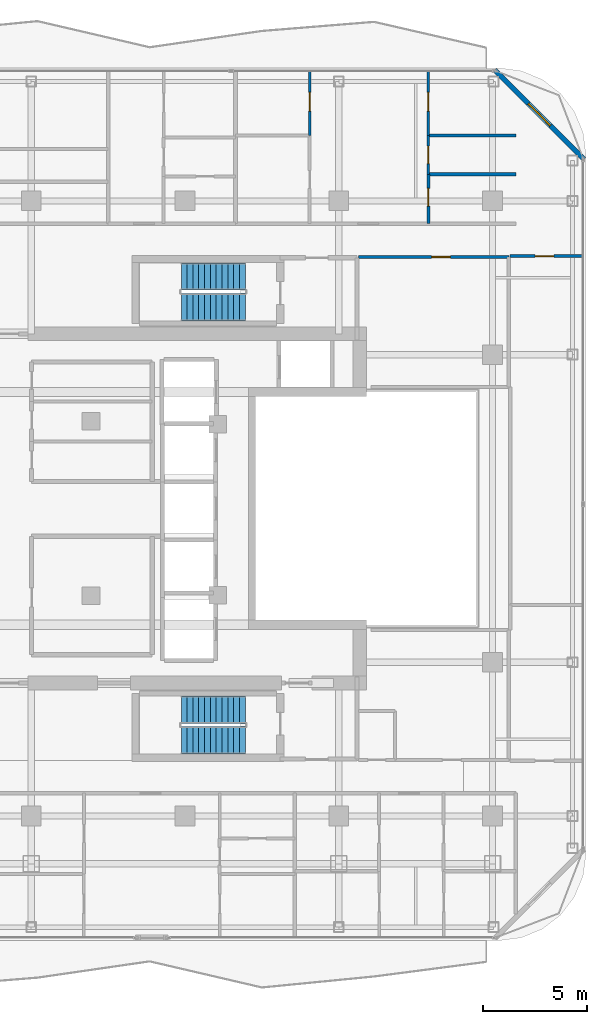
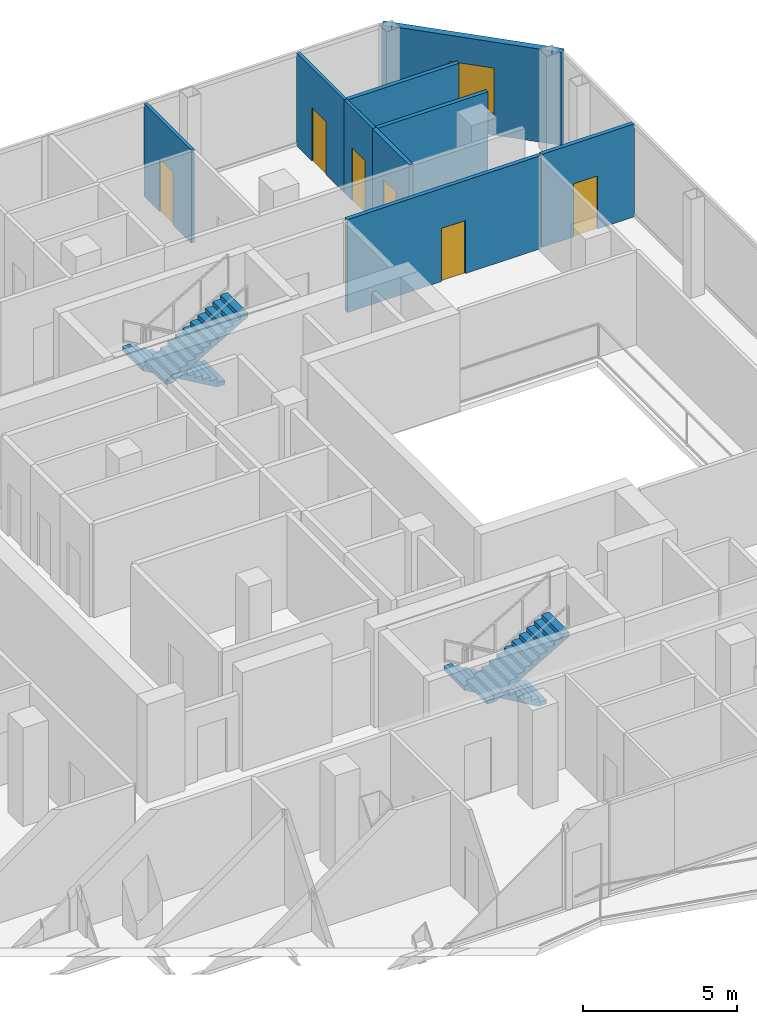
# One storey, part 20 of 23: 9 walls, 6 doors, 4 stair flights, 1 window, 7 openings, 2 elements without a shape of their own.
"""IFC4 building model written with IfcOpenShell, lengths in metres."""

from ifc_helpers import new_model, si_unit, direction, frame, frame_2d, origin, place, context, subcontext, project, spatial, polyline, rectangle, outline, extrude, material, layer, layer_set, type_object, element, fill, aggregate, save


model = new_model("IFC4")

# Units and contexts
model_context = context("Model", 3, precision=1e-05, world=origin(), true_north=direction((0.0, 1.0)))
body_context = subcontext(model_context, "Body", "Model", "MODEL_VIEW")
ifc_project = project(units=[si_unit("LENGTHUNIT", "METRE"), si_unit("AREAUNIT", "SQUARE_METRE"), si_unit("VOLUMEUNIT", "CUBIC_METRE"), si_unit("PLANEANGLEUNIT", "RADIAN"), si_unit("MASSUNIT", "GRAM", prefix="KILO")], contexts=[model_context])

# Site, building, storey
site_placement = place(None, origin())
site = spatial("IfcSite", under=ifc_project, at=site_placement, CompositionType="ELEMENT")
building_placement = place(site_placement, origin())
building = spatial("IfcBuilding", under=site, at=building_placement, Name="Khorvyn Point Tower", CompositionType="ELEMENT")
storey_placement = place(building_placement, frame((0.0, 0.0, 293.699951171875)))
storey = spatial("IfcBuildingStorey", under=building, at=storey_placement, Name="L72", CompositionType="ELEMENT", Elevation=293.699951171875)

# Wall, opening, window
ifc_material_1 = material(Name="Pale anodised aluminium rainscreen on steel stud", Category="steel")
ifc_layer_1 = layer(ifc_material_1, 0.239990234375)
ifc_layer_set_1 = layer_set([ifc_layer_1], Name="Anodised Aluminium Insulated Corner Spandrel Wall 240")
wall_type_1 = type_object("IfcWallType", Name="Anodised Aluminium Insulated Corner Spandrel Wall 240", PredefinedType="SOLIDWALL", material=ifc_layer_set_1)
wall_1_placement = place(storey_placement, frame((14.90771484375, 21.09228515625, 0.0), z_axis=(0.0, 0.0, 1.0), x_axis=(0.707106781187, -0.707106781187, 0.0)))
wall_1 = element("IfcWall", 1, at=wall_1_placement, inside=storey, type_object=wall_type_1, Name="L72 Rounded Corner Wall NE", PredefinedType="SOLIDWALL", context=body_context, shape_type="SweptSolid", body=[
    extrude(rectangle(XDim=6.059326171875, YDim=0.239990234375, at=frame_2d((3.02978515625, 0.0))), origin(), (0.0, 0.0, 1.0), 3.679931640625),
])
opening_1_placement = place(wall_1_placement, frame((2.27978515625, 0.0, 0.800048828125)))
opening_1 = element("IfcOpeningElement", 2, at=opening_1_placement, cuts=wall_1, Name="Opening WN-1518", PredefinedType="OPENING", context=body_context, shape_type="SweptSolid", body=[
    extrude(rectangle(XDim=1.5, YDim=1.85009765625, at=frame_2d((0.75, 0.925048828125))), frame((0.0, 0.1298828125, 0.0), z_axis=(0.0, -1.0, 0.0), x_axis=(1.0, 0.0, 0.0)), (0.0, 0.0, 1.0), 0.260009765625),
])
ifc_material_2 = material(Name="Anodised aluminium 6063-T6 and laminated Low-E glass", Category="aluminium")
window_type = type_object("IfcWindowType", Name="Anodised Aluminium Rounded-Corner Panoramic Window 1500x1850", PartitioningType="SINGLE_PANEL", PredefinedType="WINDOW", material=ifc_material_2)
window_placement = place(opening_1_placement, origin())
window = element("IfcWindow", 3, at=window_placement, inside=storey, type_object=window_type, Name="L72 Corner Panoramic Window NE", OverallHeight=1.85009765625, OverallWidth=1.5, PartitioningType="SINGLE_PANEL", PredefinedType="WINDOW", context=body_context, shape_type="SweptSolid", body=[
    extrude(rectangle(XDim=1.5, YDim=1.85009765625, at=frame_2d((0.75, 0.925048828125))), frame((0.0, 0.030029296875, 0.0), z_axis=(0.0, -1.0, 0.0), x_axis=(1.0, 0.0, 0.0)), (0.0, 0.0, 1.0), 0.06005859375),
])
fill(opening_1, window)

# Wall, opening, door
ifc_material_3 = material(Name="Gypsum plasterboard on steel stud", Category="steel")
ifc_layer_2 = layer(ifc_material_3, 0.1201171875)
ifc_layer_set_2 = layer_set([ifc_layer_2], Name="Gypsum Acoustic Stud Room Partition Wall 120")
wall_type_2 = type_object("IfcWallType", Name="Gypsum Acoustic Stud Room Partition Wall 120", PredefinedType="PARTITIONING", material=ifc_layer_set_2)
wall_2_placement = place(storey_placement, frame((5.9990234375, 17.949951171875, 0.0), z_axis=(0.0, 0.0, 1.0), x_axis=(0.0, 1.0, 0.0)))
wall_2 = element("IfcWall", 4, at=wall_2_placement, inside=storey, type_object=wall_type_2, Name="Wall", PredefinedType="PARTITIONING", context=body_context, shape_type="SweptSolid", body=[
    extrude(rectangle(XDim=3.080078125, YDim=0.1201171875, at=frame_2d((1.5400390625, 0.0))), origin(), (0.0, 0.0, 1.0), 3.679931640625),
])
opening_2_placement = place(wall_2_placement, frame((1.174560546875, 0.0, 0.0)))
opening_2 = element("IfcOpeningElement", 5, at=opening_2_placement, cuts=wall_2, Name="Opening ID-RM90", PredefinedType="OPENING", context=body_context, shape_type="SweptSolid", body=[
    extrude(rectangle(XDim=0.89990234375, YDim=2.10009765625, at=frame_2d((0.449951171875, 1.050048828125))), frame((0.0, 0.070068359375, 0.0), z_axis=(0.0, -1.0, 0.0), x_axis=(1.0, 0.0, 0.0)), (0.0, 0.0, 1.0), 0.14013671875),
])
ifc_material_4 = material(Name="Engineered oak veneer timber", Category="wood")
door_type_1 = type_object("IfcDoorType", Name="Flush Engineered Timber Room Door 900x2100", OperationType="NOTDEFINED", PredefinedType="DOOR", material=ifc_material_4)
door_1_placement = place(opening_2_placement, origin())
door_1 = element("IfcDoor", 6, at=door_1_placement, inside=storey, type_object=door_type_1, Name="Door", OperationType="SINGLE_SWING_LEFT", OverallHeight=2.10009765625, OverallWidth=0.89990234375, PredefinedType="DOOR", context=body_context, shape_type="SweptSolid", body=[
    extrude(rectangle(XDim=0.89990234375, YDim=2.10009765625, at=frame_2d((0.449951171875, 1.050048828125))), frame((0.0, 0.02490234375, 0.0), z_axis=(0.0, -1.0, 0.0), x_axis=(1.0, 0.0, 0.0)), (0.0, 0.0, 1.0), 0.050048828125),
])
fill(opening_2, door_1)

wall_3_placement = place(storey_placement, frame((11.7099609375, 16.080078125, 0.0), z_axis=(0.0, 0.0, 1.0), x_axis=(0.0, 1.0, 0.0)))
wall_3 = element("IfcWall", 7, at=wall_3_placement, inside=storey, type_object=wall_type_2, Name="Wall", PredefinedType="PARTITIONING", context=body_context, shape_type="SweptSolid", body=[
    extrude(rectangle(XDim=1.869873046875, YDim=0.1201171875, at=frame_2d((0.93505859375, 0.0))), origin(), (0.0, 0.0, 1.0), 3.679931640625),
])
opening_3_placement = place(wall_3_placement, frame((0.510009765625, 0.0, 0.0)))
opening_3 = element("IfcOpeningElement", 8, at=opening_3_placement, cuts=wall_3, Name="Opening ID-WC85", PredefinedType="OPENING", context=body_context, shape_type="SweptSolid", body=[
    extrude(rectangle(XDim=0.85009765625, YDim=2.10009765625, at=frame_2d((0.425048828125, 1.050048828125))), frame((0.0, 0.070068359375, 0.0), z_axis=(0.0, -1.0, 0.0), x_axis=(1.0, 0.0, 0.0)), (0.0, 0.0, 1.0), 0.14013671875),
])
ifc_material_5 = material(Name="High-pressure laminate on moisture-resistant core", Category="wood")
door_type_2 = type_object("IfcDoorType", Name="Moisture-Resistant Accessible Washroom Door 850x2100", OperationType="NOTDEFINED", PredefinedType="DOOR", material=ifc_material_5)
door_2_placement = place(opening_3_placement, origin())
door_2 = element("IfcDoor", 9, at=door_2_placement, inside=storey, type_object=door_type_2, Name="Door", OperationType="SINGLE_SWING_LEFT", OverallHeight=2.10009765625, OverallWidth=0.85009765625, PredefinedType="DOOR", context=body_context, shape_type="SweptSolid", body=[
    extrude(rectangle(XDim=0.85009765625, YDim=2.10009765625, at=frame_2d((0.425048828125, 1.050048828125))), frame((0.0, 0.02490234375, 0.0), z_axis=(0.0, -1.0, 0.0), x_axis=(1.0, 0.0, 0.0)), (0.0, 0.0, 1.0), 0.050048828125),
])
fill(opening_3, door_2)

wall_4_placement = place(storey_placement, frame((11.7099609375, 17.949951171875, 0.0), z_axis=(0.0, 0.0, 1.0), x_axis=(0.0, 1.0, 0.0)))
wall_4 = element("IfcWall", 10, at=wall_4_placement, inside=storey, type_object=wall_type_2, Name="Wall", PredefinedType="PARTITIONING", context=body_context, shape_type="SweptSolid", body=[
    extrude(rectangle(XDim=3.080078125, YDim=0.1201171875, at=frame_2d((1.5400390625, 0.0))), origin(), (0.0, 0.0, 1.0), 3.679931640625),
])
opening_4_placement = place(wall_4_placement, frame((1.174560546875, 0.0, 0.0)))
opening_4 = element("IfcOpeningElement", 11, at=opening_4_placement, cuts=wall_4, Name="Opening ID-RM90", PredefinedType="OPENING", context=body_context, shape_type="SweptSolid", body=[
    extrude(rectangle(XDim=0.89990234375, YDim=2.10009765625, at=frame_2d((0.449951171875, 1.050048828125))), frame((0.0, 0.070068359375, 0.0), z_axis=(0.0, -1.0, 0.0), x_axis=(1.0, 0.0, 0.0)), (0.0, 0.0, 1.0), 0.14013671875),
])
door_3_placement = place(opening_4_placement, origin())
door_3 = element("IfcDoor", 12, at=door_3_placement, inside=storey, type_object=door_type_1, Name="Door", OperationType="SINGLE_SWING_RIGHT", OverallHeight=2.10009765625, OverallWidth=0.89990234375, PredefinedType="DOOR", context=body_context, shape_type="SweptSolid", body=[
    extrude(rectangle(XDim=0.89990234375, YDim=2.10009765625, at=frame_2d((0.449951171875, 1.050048828125))), frame((0.0, 0.02490234375, 0.0), z_axis=(0.0, -1.0, 0.0), x_axis=(1.0, 0.0, 0.0)), (0.0, 0.0, 1.0), 0.050048828125),
])
fill(opening_4, door_3)

ifc_material_6 = material(Name="Moisture-resistant gypsum and cement board", Category="gypsum")
ifc_layer_3 = layer(ifc_material_6, 0.14990234375)
ifc_layer_set_3 = layer_set([ifc_layer_3], Name="Moisture-Resistant Wet-Room Partition Wall 150")
wall_type_3 = type_object("IfcWallType", Name="Moisture-Resistant Wet-Room Partition Wall 150", PredefinedType="PARTITIONING", material=ifc_layer_set_3)
wall_5_placement = place(storey_placement, frame((8.360107421875, 12.10009765625, 0.0), z_axis=(0.0, 0.0, 1.0), x_axis=(1.0, 0.0, 0.0)))
wall_5 = element("IfcWall", 13, at=wall_5_placement, inside=storey, type_object=wall_type_3, Name="Wall", PredefinedType="PARTITIONING", context=body_context, shape_type="SweptSolid", body=[
    extrude(rectangle(XDim=7.219970703125, YDim=0.14990234375, at=frame_2d((3.60986328125, 0.0))), origin(), (0.0, 0.0, 1.0), 3.679931640625),
])
opening_5_placement = place(wall_5_placement, frame((3.512939453125, 0.0, 0.0)))
opening_5 = element("IfcOpeningElement", 14, at=opening_5_placement, cuts=wall_5, Name="Opening ID-RM90", PredefinedType="OPENING", context=body_context, shape_type="SweptSolid", body=[
    extrude(rectangle(XDim=0.89990234375, YDim=2.10009765625, at=frame_2d((0.449951171875, 1.050048828125))), frame((0.0, 0.0849609375, 0.0), z_axis=(0.0, -1.0, 0.0), x_axis=(1.0, 0.0, 0.0)), (0.0, 0.0, 1.0), 0.169921875),
])
door_4_placement = place(opening_5_placement, origin())
door_4 = element("IfcDoor", 15, at=door_4_placement, inside=storey, type_object=door_type_1, Name="Door", OperationType="SINGLE_SWING_RIGHT", OverallHeight=2.10009765625, OverallWidth=0.89990234375, PredefinedType="DOOR", context=body_context, shape_type="SweptSolid", body=[
    extrude(rectangle(XDim=0.89990234375, YDim=2.10009765625, at=frame_2d((0.449951171875, 1.050048828125))), frame((0.0, 0.02490234375, 0.0), z_axis=(0.0, -1.0, 0.0), x_axis=(1.0, 0.0, 0.0)), (0.0, 0.0, 1.0), 0.050048828125),
])
fill(opening_5, door_4)

wall_6_placement = place(storey_placement, frame((11.7099609375, 13.699951171875, 0.0), z_axis=(0.0, 0.0, 1.0), x_axis=(0.0, 1.0, 0.0)))
wall_6 = element("IfcWall", 16, at=wall_6_placement, inside=storey, type_object=wall_type_3, Name="Wall", PredefinedType="PARTITIONING", context=body_context, shape_type="SweptSolid", body=[
    extrude(rectangle(XDim=2.380126953125, YDim=0.14990234375, at=frame_2d((1.18994140625, 0.0))), origin(), (0.0, 0.0, 1.0), 3.679931640625),
])
opening_6_placement = place(wall_6_placement, frame((0.851318359375, 0.0, 0.0)))
opening_6 = element("IfcOpeningElement", 17, at=opening_6_placement, cuts=wall_6, Name="Opening ID-WC85", PredefinedType="OPENING", context=body_context, shape_type="SweptSolid", body=[
    extrude(rectangle(XDim=0.85009765625, YDim=2.10009765625, at=frame_2d((0.425048828125, 1.050048828125))), frame((0.0, 0.0849609375, 0.0), z_axis=(0.0, -1.0, 0.0), x_axis=(1.0, 0.0, 0.0)), (0.0, 0.0, 1.0), 0.169921875),
])
door_5_placement = place(opening_6_placement, origin())
door_5 = element("IfcDoor", 18, at=door_5_placement, inside=storey, type_object=door_type_2, Name="Door", OperationType="SINGLE_SWING_RIGHT", OverallHeight=2.10009765625, OverallWidth=0.85009765625, PredefinedType="DOOR", context=body_context, shape_type="SweptSolid", body=[
    extrude(rectangle(XDim=0.85009765625, YDim=2.10009765625, at=frame_2d((0.425048828125, 1.050048828125))), frame((0.0, 0.02490234375, 0.0), z_axis=(0.0, -1.0, 0.0), x_axis=(1.0, 0.0, 0.0)), (0.0, 0.0, 1.0), 0.050048828125),
])
fill(opening_6, door_5)

wall_7_placement = place(storey_placement, frame((15.64990234375, 12.139892578125, 0.0), z_axis=(0.0, 0.0, 1.0), x_axis=(1.0, 0.0, 0.0)))
wall_7 = element("IfcWall", 19, at=wall_7_placement, inside=storey, type_object=wall_type_3, Name="Wall", PredefinedType="PARTITIONING", context=body_context, shape_type="SweptSolid", body=[
    extrude(rectangle(XDim=3.47021484375, YDim=0.14990234375, at=frame_2d((1.735107421875, 0.0))), origin(), (0.0, 0.0, 1.0), 3.679931640625),
])
opening_7_placement = place(wall_7_placement, frame((1.198486328125, 0.0, 0.0)))
opening_7 = element("IfcOpeningElement", 20, at=opening_7_placement, cuts=wall_7, Name="Opening ID-RM90", PredefinedType="OPENING", context=body_context, shape_type="SweptSolid", body=[
    extrude(rectangle(XDim=0.89990234375, YDim=2.10009765625, at=frame_2d((0.449951171875, 1.050048828125))), frame((0.0, 0.0849609375, 0.0), z_axis=(0.0, -1.0, 0.0), x_axis=(1.0, 0.0, 0.0)), (0.0, 0.0, 1.0), 0.169921875),
])
door_6_placement = place(opening_7_placement, origin())
door_6 = element("IfcDoor", 21, at=door_6_placement, inside=storey, type_object=door_type_1, Name="Door", OperationType="SINGLE_SWING_LEFT", OverallHeight=2.10009765625, OverallWidth=0.89990234375, PredefinedType="DOOR", context=body_context, shape_type="SweptSolid", body=[
    extrude(rectangle(XDim=0.89990234375, YDim=2.10009765625, at=frame_2d((0.449951171875, 1.050048828125))), frame((0.0, 0.02490234375, 0.0), z_axis=(0.0, -1.0, 0.0), x_axis=(1.0, 0.0, 0.0)), (0.0, 0.0, 1.0), 0.050048828125),
])
fill(opening_7, door_6)

# Walls
for number, where, z_axis, x_axis, name in (
    (22, (11.7099609375, 16.080078125, 0.0), (0.0, 0.0, 1.0), (1.0, 0.0, 0.0), "Wall"),
    (23, (11.7099609375, 17.949951171875, 0.0), (0.0, 0.0, 1.0), (1.0, 0.0, 0.0), "Wall"),
):
    element("IfcWall", number, at=place(storey_placement, frame(where, z_axis=z_axis, x_axis=x_axis)), inside=storey, type_object=wall_type_3, Name=name, PredefinedType="PARTITIONING", context=body_context, shape_type="SweptSolid", body=[
        extrude(rectangle(XDim=4.2099609375, YDim=0.14990234375, at=frame_2d((2.10498046875, 0.0))), origin(), (0.0, 0.0, 1.0), 3.679931640625),
    ])

# Stair, stair flights
ifc_material_7 = material(Name="Concrete C40/50", Category="concrete")
stair_type = type_object("IfcStairType", Name="Tower Concrete C40/50 Dogleg Exit Stair", PredefinedType="HALF_TURN_STAIR", material=ifc_material_7)
stair_1_placement = place(storey_placement, origin())
stair_1 = element("IfcStair", 24, at=stair_1_placement, inside=storey, type_object=stair_type, Name="L72 Tower Smokeproof Exit Stair South", PredefinedType="HALF_TURN_STAIR")
stair_flight_type = type_object("IfcStairFlightType", Name="Tower Concrete C40/50 Stair Flight", PredefinedType="STRAIGHT", material=ifc_material_7)
stair_flight_1_placement = place(storey_placement, frame((2.89990234375, -9.679931640625, 0.0), z_axis=(0.0, 0.0, 1.0), x_axis=(-1.0, 0.0, 0.0)))
stair_flight_1 = element("IfcStairFlight", 25, at=stair_flight_1_placement, type_object=stair_flight_type, Name="ST-01 flight 1", NumberOfRisers=12, NumberOfTreads=11, PredefinedType="STRAIGHT", RiserHeight=0.1625, TreadLength=0.28, context=body_context, shape_type="SweptSolid", body=[
    extrude(outline(polyline([(0.0, 0.0), (0.0, 0.16259765625), (0.280029296875, 0.16259765625), (0.280029296875, 0.324951171875), (0.56005859375, 0.324951171875), (0.56005859375, 0.487548828125), (0.840087890625, 0.487548828125), (0.840087890625, 0.64990234375), (1.1201171875, 0.64990234375), (1.1201171875, 0.8125), (1.39990234375, 0.8125), (1.39990234375, 0.97509765625), (1.679931640625, 0.97509765625), (1.679931640625, 1.137451171875), (1.9599609375, 1.137451171875), (1.9599609375, 1.300048828125), (2.239990234375, 1.300048828125), (2.239990234375, 1.46240234375), (2.52001953125, 1.46240234375), (2.52001953125, 1.625), (2.800048828125, 1.625), (2.800048828125, 1.78759765625), (3.080078125, 1.78759765625), (3.080078125, 1.949951171875), (3.080078125, 1.6142578125), (0.298583984375, 0.0), (0.0, 0.0)])), frame((0.0, 0.66015625, 0.0), z_axis=(0.0, -1.0, 0.0), x_axis=(1.0, 0.0, 0.0)), (0.0, 0.0, 1.0), 1.320068359375),
])
stair_flight_2_placement = place(storey_placement, frame((-0.179931640625, -11.159912109375, 1.949951171875), z_axis=(0.0, 0.0, 1.0), x_axis=(1.0, 0.0, 0.0)))
stair_flight_2 = element("IfcStairFlight", 26, at=stair_flight_2_placement, type_object=stair_flight_type, Name="ST-01 flight 2", NumberOfRisers=12, NumberOfTreads=11, PredefinedType="STRAIGHT", RiserHeight=0.1625, TreadLength=0.28, context=body_context, shape_type="SweptSolid", body=[
    extrude(outline(polyline([(0.0, 0.0), (0.0, 0.16259765625), (0.280029296875, 0.16259765625), (0.280029296875, 0.324951171875), (0.56005859375, 0.324951171875), (0.56005859375, 0.487548828125), (0.840087890625, 0.487548828125), (0.840087890625, 0.64990234375), (1.1201171875, 0.64990234375), (1.1201171875, 0.8125), (1.39990234375, 0.8125), (1.39990234375, 0.97509765625), (1.679931640625, 0.97509765625), (1.679931640625, 1.137451171875), (1.9599609375, 1.137451171875), (1.9599609375, 1.300048828125), (2.239990234375, 1.300048828125), (2.239990234375, 1.46240234375), (2.52001953125, 1.46240234375), (2.52001953125, 1.625), (2.800048828125, 1.625), (2.800048828125, 1.78759765625), (3.080078125, 1.78759765625), (3.080078125, 1.949951171875), (3.080078125, 1.6142578125), (0.298583984375, 0.0), (0.0, 0.0)])), frame((0.0, 0.66015625, 0.0), z_axis=(0.0, -1.0, 0.0), x_axis=(1.0, 0.0, 0.0)), (0.0, 0.0, 1.0), 1.320068359375),
])
aggregate(stair_1, [stair_flight_1, stair_flight_2])

stair_2_placement = place(storey_placement, origin())
stair_2 = element("IfcStair", 27, at=stair_2_placement, inside=storey, type_object=stair_type, Name="L72 Tower Smokeproof Exit Stair North", PredefinedType="HALF_TURN_STAIR")
stair_flight_3_placement = place(storey_placement, frame((2.89990234375, 11.159912109375, 0.0), z_axis=(0.0, 0.0, 1.0), x_axis=(-1.0, 0.0, 0.0)))
stair_flight_3 = element("IfcStairFlight", 28, at=stair_flight_3_placement, type_object=stair_flight_type, Name="ST-02 flight 1", NumberOfRisers=12, NumberOfTreads=11, PredefinedType="STRAIGHT", RiserHeight=0.1625, TreadLength=0.28, context=body_context, shape_type="SweptSolid", body=[
    extrude(outline(polyline([(0.0, 0.0), (0.0, 0.16259765625), (0.280029296875, 0.16259765625), (0.280029296875, 0.324951171875), (0.56005859375, 0.324951171875), (0.56005859375, 0.487548828125), (0.840087890625, 0.487548828125), (0.840087890625, 0.64990234375), (1.1201171875, 0.64990234375), (1.1201171875, 0.8125), (1.39990234375, 0.8125), (1.39990234375, 0.97509765625), (1.679931640625, 0.97509765625), (1.679931640625, 1.137451171875), (1.9599609375, 1.137451171875), (1.9599609375, 1.300048828125), (2.239990234375, 1.300048828125), (2.239990234375, 1.46240234375), (2.52001953125, 1.46240234375), (2.52001953125, 1.625), (2.800048828125, 1.625), (2.800048828125, 1.78759765625), (3.080078125, 1.78759765625), (3.080078125, 1.949951171875), (3.080078125, 1.6142578125), (0.298583984375, 0.0), (0.0, 0.0)])), frame((0.0, 0.66015625, 0.0), z_axis=(0.0, -1.0, 0.0), x_axis=(1.0, 0.0, 0.0)), (0.0, 0.0, 1.0), 1.320068359375),
])
stair_flight_4_placement = place(storey_placement, frame((-0.179931640625, 9.679931640625, 1.949951171875), z_axis=(0.0, 0.0, 1.0), x_axis=(1.0, 0.0, 0.0)))
stair_flight_4 = element("IfcStairFlight", 29, at=stair_flight_4_placement, type_object=stair_flight_type, Name="ST-02 flight 2", NumberOfRisers=12, NumberOfTreads=11, PredefinedType="STRAIGHT", RiserHeight=0.1625, TreadLength=0.28, context=body_context, shape_type="SweptSolid", body=[
    extrude(outline(polyline([(0.0, 0.0), (0.0, 0.16259765625), (0.280029296875, 0.16259765625), (0.280029296875, 0.324951171875), (0.56005859375, 0.324951171875), (0.56005859375, 0.487548828125), (0.840087890625, 0.487548828125), (0.840087890625, 0.64990234375), (1.1201171875, 0.64990234375), (1.1201171875, 0.8125), (1.39990234375, 0.8125), (1.39990234375, 0.97509765625), (1.679931640625, 0.97509765625), (1.679931640625, 1.137451171875), (1.9599609375, 1.137451171875), (1.9599609375, 1.300048828125), (2.239990234375, 1.300048828125), (2.239990234375, 1.46240234375), (2.52001953125, 1.46240234375), (2.52001953125, 1.625), (2.800048828125, 1.625), (2.800048828125, 1.78759765625), (3.080078125, 1.78759765625), (3.080078125, 1.949951171875), (3.080078125, 1.6142578125), (0.298583984375, 0.0), (0.0, 0.0)])), frame((0.0, 0.66015625, 0.0), z_axis=(0.0, -1.0, 0.0), x_axis=(1.0, 0.0, 0.0)), (0.0, 0.0, 1.0), 1.320068359375),
])
aggregate(stair_2, [stair_flight_3, stair_flight_4])

save(model, "model.ifc")
